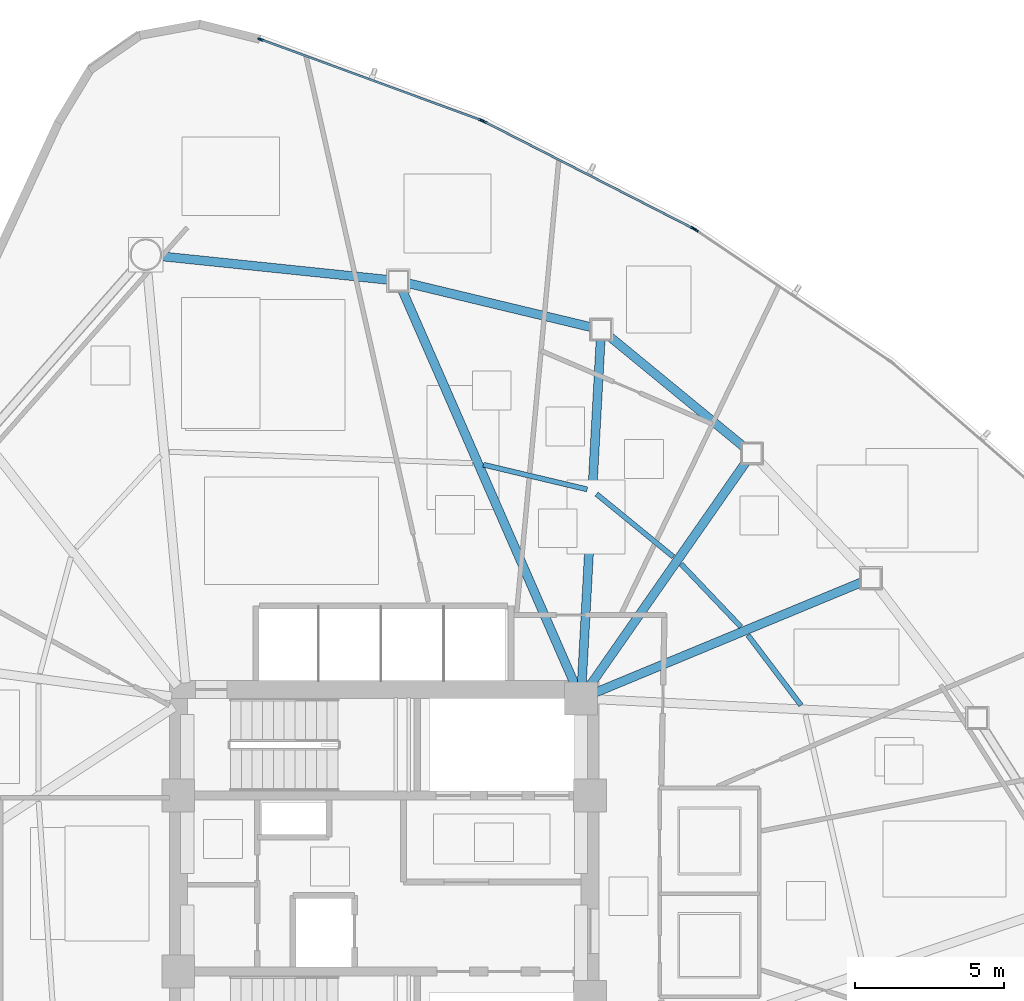
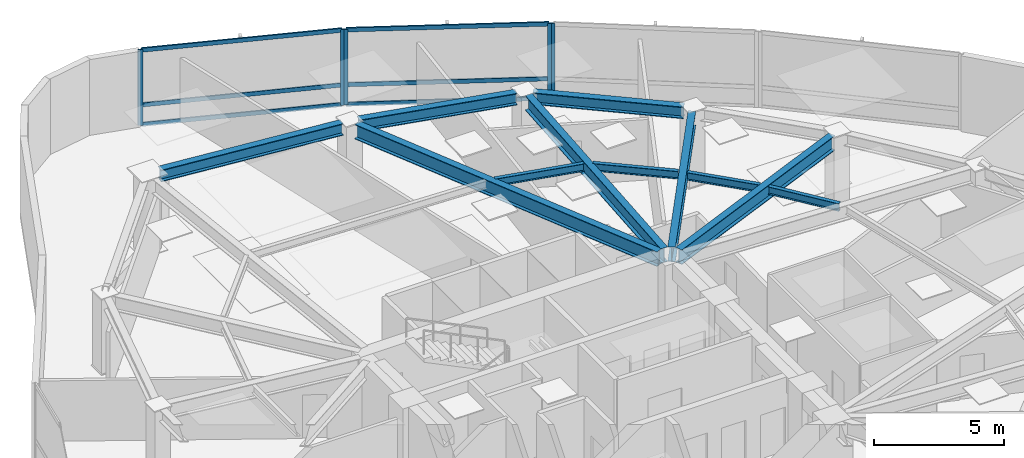
# One storey, part 8 of 17: 11 beams, 11 members, 3 elements without a shape of their own.
"""IFC4 building model written with IfcOpenShell, lengths in metres."""

from ifc_helpers import new_model, si_unit, direction, frame, origin, origin_2d, place, context, subcontext, project, spatial, hollow_rectangle, i_section, extrude, source, transform, mapped, material, layer, layer_set, material_profile, profile_set, type_object, type_shapes, element, aggregate, save


model = new_model("IFC4")

# Units and contexts
model_context = context("Model", 3, precision=1e-05, world=origin(), true_north=direction((0.0, 1.0)))
body_context = subcontext(model_context, "Body", "Model", "MODEL_VIEW")
ifc_project = project(units=[si_unit("LENGTHUNIT", "METRE"), si_unit("AREAUNIT", "SQUARE_METRE"), si_unit("VOLUMEUNIT", "CUBIC_METRE"), si_unit("PLANEANGLEUNIT", "RADIAN"), si_unit("MASSUNIT", "GRAM", prefix="KILO")], contexts=[model_context])

# Site, building, storey
site_placement = place(None, origin())
site = spatial("IfcSite", under=ifc_project, at=site_placement, CompositionType="ELEMENT")
building_placement = place(site_placement, origin())
building = spatial("IfcBuilding", under=site, at=building_placement, Name="Tavelor Broadcast Tower", CompositionType="ELEMENT")
storey_placement = place(building_placement, frame((0.0, 0.0, 127.14990234375)))
storey = spatial("IfcBuildingStorey", under=building, at=storey_placement, Name="L29", CompositionType="ELEMENT", Elevation=127.14990234375)

# Beams
ifc_material_1 = material(Name="Steel S355", Category="steel")
ifc_material_profile_1 = material_profile(ifc_material_1, i_section(OverallWidth=0.169921875, OverallDepth=0.360107421875, WebThickness=0.008056640625, FlangeThickness=0.0126953125, at=origin_2d()), Name="IPE 360")
ifc_profile_set_1 = profile_set([ifc_material_profile_1], Name="Steel S355")
beam_type_1 = type_object("IfcBeamType", Name="Composite Floor Joist T3 IPE 360", PredefinedType="JOIST", material=ifc_profile_set_1)
beam_1_placement = place(storey_placement, frame((63.97509765625, 50.974853515625, 3.3701171875), z_axis=(-0.603343158319, 0.797481682116, 0.0), x_axis=(-0.797481682116, -0.603343158319, 0.0)))
element("IfcBeam", 1, at=beam_1_placement, inside=storey, type_object=beam_type_1, Name="L29 Secondary Composite Floor Joist 14", PredefinedType="JOIST", context=body_context, shape_type="SweptSolid", body=[
    extrude(i_section(OverallWidth=0.169921875, OverallDepth=0.360107421875, WebThickness=0.008056640625, FlangeThickness=0.0126953125, at=origin_2d()), origin(), (0.0, 0.0, 1.0), 2.951416015625),
])
beam_2_placement = place(storey_placement, frame((61.960205078125, 53.60400390625, 3.3701171875), z_axis=(-0.689436692526, 0.724345944283, 0.0), x_axis=(-0.724345944283, -0.689436692526, 0.0)))
element("IfcBeam", 2, at=beam_2_placement, inside=storey, type_object=beam_type_1, Name="L29 Secondary Composite Floor Joist 15", PredefinedType="JOIST", context=body_context, shape_type="SweptSolid", body=[
    extrude(i_section(OverallWidth=0.169921875, OverallDepth=0.360107421875, WebThickness=0.008056640625, FlangeThickness=0.0126953125, at=origin_2d()), origin(), (0.0, 0.0, 1.0), 2.90234375),
])
beam_3_placement = place(storey_placement, frame((59.6943359375, 55.951904296875, 3.3701171875), z_axis=(-0.774130723206, 0.633025768345, 0.0), x_axis=(-0.633025768345, -0.774130723206, 0.0)))
element("IfcBeam", 3, at=beam_3_placement, inside=storey, type_object=beam_type_1, Name="L29 Secondary Composite Floor Joist 16", PredefinedType="JOIST", context=body_context, shape_type="SweptSolid", body=[
    extrude(i_section(OverallWidth=0.169921875, OverallDepth=0.360107421875, WebThickness=0.008056640625, FlangeThickness=0.0126953125, at=origin_2d()), origin(), (0.0, 0.0, 1.0), 3.32373046875),
])
beam_4_placement = place(storey_placement, frame((56.80517578125, 58.21240234375, 3.3701171875), z_axis=(-0.972854549724, 0.231417426056, 0.0), x_axis=(-0.231417426056, -0.972854549724, 0.0)))
element("IfcBeam", 4, at=beam_4_placement, inside=storey, type_object=beam_type_1, Name="L29 Secondary Composite Floor Joist 17", PredefinedType="JOIST", context=body_context, shape_type="SweptSolid", body=[
    extrude(i_section(OverallWidth=0.169921875, OverallDepth=0.360107421875, WebThickness=0.008056640625, FlangeThickness=0.0126953125, at=origin_2d()), origin(), (0.0, 0.0, 1.0), 3.575439453125),
])
ifc_material_profile_2 = material_profile(ifc_material_1, i_section(OverallWidth=0.300048828125, OverallDepth=0.550048828125, WebThickness=0.014892578125, FlangeThickness=0.029052734375, at=origin_2d()), Name="HEB 550")
ifc_profile_set_2 = profile_set([ifc_material_profile_2], Name="Steel S355")
beam_type_2 = type_object("IfcBeamType", Name="Perimeter Spandrel Beam T3 HEB 550", PredefinedType="SPANDREL", material=ifc_profile_set_2)
beam_5_placement = place(storey_placement, frame((62.0712890625, 59.62939453125, 3.275146484375), z_axis=(-0.772702936962, 0.634767808896, 0.0), x_axis=(-0.634767808896, -0.772702936962, 0.0)))
element("IfcBeam", 5, at=beam_5_placement, inside=storey, type_object=beam_type_2, Name="L29 Framed-Tube Ring Spandrel 16", PredefinedType="SPANDREL", context=body_context, shape_type="SweptSolid", body=[
    extrude(i_section(OverallWidth=0.300048828125, OverallDepth=0.550048828125, WebThickness=0.014892578125, FlangeThickness=0.029052734375, at=origin_2d()), origin(), (0.0, 0.0, 1.0), 5.869140625),
])
beam_6_placement = place(storey_placement, frame((56.949951171875, 63.64697265625, 3.275146484375), z_axis=(-0.972363823797, 0.233470756565, 0.0), x_axis=(-0.233470756565, -0.972363823797, 0.0)))
element("IfcBeam", 6, at=beam_6_placement, inside=storey, type_object=beam_type_2, Name="L29 Framed-Tube Ring Spandrel 17", PredefinedType="SPANDREL", context=body_context, shape_type="SweptSolid", body=[
    extrude(i_section(OverallWidth=0.300048828125, OverallDepth=0.550048828125, WebThickness=0.014892578125, FlangeThickness=0.029052734375, at=origin_2d()), origin(), (0.0, 0.0, 1.0), 6.325439453125),
])
beam_7_placement = place(storey_placement, frame((50.13818359375, 65.23681640625, 3.275146484375), z_axis=(-0.994661371522, 0.103192809834, 0.0), x_axis=(-0.103192809834, -0.994661371522, 0.0)))
element("IfcBeam", 7, at=beam_7_placement, inside=storey, type_object=beam_type_2, Name="L29 Framed-Tube Ring Spandrel 18", PredefinedType="SPANDREL", context=body_context, shape_type="SweptSolid", body=[
    extrude(i_section(OverallWidth=0.300048828125, OverallDepth=0.550048828125, WebThickness=0.014892578125, FlangeThickness=0.029052734375, at=origin_2d()), origin(), (0.0, 0.0, 1.0), 7.658203125),
])
ifc_material_profile_3 = material_profile(ifc_material_1, i_section(OverallWidth=0.300048828125, OverallDepth=0.68994140625, WebThickness=0.014404296875, FlangeThickness=0.027099609375, at=origin_2d()), Name="HEA 700")
ifc_profile_set_3 = profile_set([ifc_material_profile_3], Name="Steel S355")
beam_type_3 = type_object("IfcBeamType", Name="Radial Floor Girder T3 HEA 700", PredefinedType="BEAM", material=ifc_profile_set_3)
beam_8_placement = place(storey_placement, frame((57.087890625, 51.402099609375, 3.205078125), z_axis=(0.92381625254, 0.382836168018, 0.0), x_axis=(-0.382836168018, 0.92381625254, 0.0)))
element("IfcBeam", 8, at=beam_8_placement, inside=storey, type_object=beam_type_3, Name="L29 Radial Primary Floor Girder 15", PredefinedType="BEAM", context=body_context, shape_type="SweptSolid", body=[
    extrude(i_section(OverallWidth=0.300048828125, OverallDepth=0.68994140625, WebThickness=0.014404296875, FlangeThickness=0.027099609375, at=origin_2d()), origin(), (0.0, 0.0, 1.0), 9.659423828125),
])
beam_9_placement = place(storey_placement, frame((56.902099609375, 51.633056640625, 3.205078125), z_axis=(0.572088555537, 0.820191858423, 0.0), x_axis=(-0.820191858423, 0.572088555537, 0.0)))
element("IfcBeam", 9, at=beam_9_placement, inside=storey, type_object=beam_type_3, Name="L29 Radial Primary Floor Girder 16", PredefinedType="BEAM", context=body_context, shape_type="SweptSolid", body=[
    extrude(i_section(OverallWidth=0.300048828125, OverallDepth=0.68994140625, WebThickness=0.014404296875, FlangeThickness=0.027099609375, at=origin_2d()), origin(), (0.0, 0.0, 1.0), 9.1533203125),
])
beam_10_placement = place(storey_placement, frame((56.62890625, 51.727294921875, 3.205078125), z_axis=(0.054621583664, 0.998507126964, 0.0), x_axis=(-0.998507126964, 0.054621583664, 0.0)))
element("IfcBeam", 10, at=beam_10_placement, inside=storey, type_object=beam_type_3, Name="L29 Radial Primary Floor Girder 17", PredefinedType="BEAM", context=body_context, shape_type="SweptSolid", body=[
    extrude(i_section(OverallWidth=0.300048828125, OverallDepth=0.68994140625, WebThickness=0.014404296875, FlangeThickness=0.027099609375, at=origin_2d()), origin(), (0.0, 0.0, 1.0), 11.522705078125),
])
beam_11_placement = place(storey_placement, frame((56.38818359375, 51.68359375, 3.205078125), z_axis=(-0.400896102053, 0.916123526255, 0.0), x_axis=(-0.916123526255, -0.400896102053, 0.0)))
element("IfcBeam", 11, at=beam_11_placement, inside=storey, type_object=beam_type_3, Name="L29 Radial Primary Floor Girder 18", PredefinedType="BEAM", context=body_context, shape_type="SweptSolid", body=[
    extrude(i_section(OverallWidth=0.300048828125, OverallDepth=0.68994140625, WebThickness=0.014404296875, FlangeThickness=0.027099609375, at=origin_2d()), origin(), (0.0, 0.0, 1.0), 14.420166015625),
])

# Curtain wall, member
ifc_material_2 = material(Name="Architectural Anodized Aluminium", Category="aluminium")
ifc_layer = layer(ifc_material_2, 0.18994140625)
ifc_layer_set = layer_set([ifc_layer], Name="Architectural Anodized Aluminium")
curtain_wall_type = type_object("IfcCurtainWallType", Name="Tower Mid-Zone Acoustic Curtain Wall CW03", PredefinedType="NOTDEFINED", material=ifc_layer_set)
curtain_wall_1_placement = place(storey_placement, origin())
curtain_wall_1 = element("IfcCurtainWall", 12, at=curtain_wall_1_placement, inside=storey, type_object=curtain_wall_type, Name="L29 Curtain Wall CW03 Run 298", PredefinedType="NOTDEFINED")
ifc_material_profile_4 = material_profile(ifc_material_2, hollow_rectangle(XDim=0.068115234375, YDim=0.18994140625, WallThickness=0.02197265625, at=origin_2d()), Name="RHS 68x190x22")
ifc_profile_set_4 = profile_set([ifc_material_profile_4], Name="Architectural Anodized Aluminium")
member_type_1 = type_object("IfcMemberType", Name="CW03 Extruded Aluminium Mullion 68x190", PredefinedType="MULLION", material=ifc_profile_set_4)
shared_shape_1 = source(origin(), body_context, "Body", "SweptSolid", [
    extrude(hollow_rectangle(XDim=0.068115234375, YDim=0.18994140625, WallThickness=0.02197265625, at=origin_2d()), origin(), (0.0, 0.0, 1.0), 3.550048828125),
])
type_shapes(member_type_1, [shared_shape_1])
member_1_placement = place(storey_placement, frame((60.44677734375, 66.910888671875, 0.0), z_axis=(0.0, 0.0, 1.0), x_axis=(-0.559547260663, -0.828798445392, 0.0)))
member_1 = element("IfcMember", 13, at=member_1_placement, type_object=member_type_1, Name="CW03 mullion 2", PredefinedType="MULLION", context=body_context, shape_type="MappedRepresentation", body=[
    mapped(shared_shape_1, transform((0.0, 0.0, 0.0), scale=1.0)),
])
aggregate(curtain_wall_1, [member_1])

# Curtain wall, members
curtain_wall_2_placement = place(storey_placement, origin())
curtain_wall_2 = element("IfcCurtainWall", 14, at=curtain_wall_2_placement, inside=storey, type_object=curtain_wall_type, Name="L29 Curtain Wall CW03 Run 299", PredefinedType="NOTDEFINED")
member_2_placement = place(storey_placement, frame((60.362548828125, 66.960693359375, 0.0), z_axis=(0.0, 0.0, 1.0), x_axis=(-0.455145454611, -0.890417101783, 0.0)))
member_2 = element("IfcMember", 15, at=member_2_placement, type_object=member_type_1, Name="CW03 mullion 1", PredefinedType="MULLION", context=body_context, shape_type="MappedRepresentation", body=[
    mapped(shared_shape_1, transform((0.0, 0.0, 0.0), scale=1.0)),
])
member_3_placement = place(storey_placement, frame((53.353271484375, 70.54345703125, 0.0), z_axis=(0.0, 0.0, 1.0), x_axis=(-0.455145454611, -0.890417101783, 0.0)))
member_3 = element("IfcMember", 16, at=member_3_placement, type_object=member_type_1, Name="CW03 mullion 2", PredefinedType="MULLION", context=body_context, shape_type="MappedRepresentation", body=[
    mapped(shared_shape_1, transform((0.0, 0.0, 0.0), scale=1.0)),
])

curtain_wall_3_placement = place(storey_placement, origin())
curtain_wall_3 = element("IfcCurtainWall", 17, at=curtain_wall_3_placement, inside=storey, type_object=curtain_wall_type, Name="L29 Curtain Wall CW03 Run 300", PredefinedType="NOTDEFINED")
member_4_placement = place(storey_placement, frame((53.263671875, 70.582763671875, 0.0), z_axis=(0.0, 0.0, 1.0), x_axis=(-0.344038960283, -0.938955373704, 0.0)))
member_4 = element("IfcMember", 18, at=member_4_placement, type_object=member_type_1, Name="CW03 mullion 1", PredefinedType="MULLION", context=body_context, shape_type="MappedRepresentation", body=[
    mapped(shared_shape_1, transform((0.0, 0.0, 0.0), scale=1.0)),
])
member_5_placement = place(storey_placement, frame((45.85693359375, 73.29638671875, 0.0), z_axis=(0.0, 0.0, 1.0), x_axis=(-0.344038960283, -0.938955373704, 0.0)))
member_5 = element("IfcMember", 19, at=member_5_placement, type_object=member_type_1, Name="CW03 mullion 2", PredefinedType="MULLION", context=body_context, shape_type="MappedRepresentation", body=[
    mapped(shared_shape_1, transform((0.0, 0.0, 0.0), scale=1.0)),
])

# Member
ifc_material_profile_5 = material_profile(ifc_material_2, hollow_rectangle(XDim=0.068115234375, YDim=0.18994140625, WallThickness=0.02197265625, at=origin_2d()), Name="RHS 68x190x22")
ifc_profile_set_5 = profile_set([ifc_material_profile_5], Name="Architectural Anodized Aluminium")
member_type_2 = type_object("IfcMemberType", Name="CW03 Extruded Aluminium Transom 68x190", PredefinedType="USERDEFINED", material=ifc_profile_set_5)
shared_shape_2 = source(origin(), body_context, "Body", "SweptSolid", [
    extrude(hollow_rectangle(XDim=0.068115234375, YDim=0.18994140625, WallThickness=0.02197265625, at=origin_2d()), origin(), (0.0, 0.0, 1.0), 7.803955078125),
])
member_6_placement = place(storey_placement, frame((60.332275390625, 66.97607421875, 0.0341796875), z_axis=(-0.89041242448, 0.455154604868, 0.0), x_axis=(-0.455154604868, -0.89041242448, 0.0)))
member_6 = element("IfcMember", 20, at=member_6_placement, type_object=member_type_2, Name="CW03 transom 1.1", ObjectType="TRANSOM", PredefinedType="USERDEFINED", context=body_context, shape_type="MappedRepresentation", body=[
    mapped(shared_shape_2, transform((0.0, 0.0, 0.0), scale=1.0)),
])

member_7_placement = place(storey_placement, frame((60.332275390625, 66.97607421875, 0.9501953125), z_axis=(-0.89041242448, 0.455154604868, 0.0), x_axis=(-0.455154604868, -0.89041242448, 0.0)))
member_7 = element("IfcMember", 21, at=member_7_placement, type_object=member_type_2, Name="CW03 transom 1.2", ObjectType="TRANSOM", PredefinedType="USERDEFINED", context=body_context, shape_type="MappedRepresentation", body=[
    mapped(shared_shape_2, transform((0.0, 0.0, 0.0), scale=1.0)),
])

member_8_placement = place(storey_placement, frame((60.332275390625, 66.97607421875, 3.51611328125), z_axis=(-0.89041242448, 0.455154604868, 0.0), x_axis=(-0.455154604868, -0.89041242448, 0.0)))
member_8 = element("IfcMember", 22, at=member_8_placement, type_object=member_type_2, Name="CW03 transom 1.3", ObjectType="TRANSOM", PredefinedType="USERDEFINED", context=body_context, shape_type="MappedRepresentation", body=[
    mapped(shared_shape_2, transform((0.0, 0.0, 0.0), scale=1.0)),
])

aggregate(curtain_wall_2, [member_2, member_3, member_6, member_7, member_8])

shared_shape_3 = source(origin(), body_context, "Body", "SweptSolid", [
    extrude(hollow_rectangle(XDim=0.068115234375, YDim=0.18994140625, WallThickness=0.02197265625, at=origin_2d()), origin(), (0.0, 0.0, 1.0), 7.820068359375),
])
type_shapes(member_type_2, [shared_shape_2, shared_shape_3])
member_9_placement = place(storey_placement, frame((53.231689453125, 70.594482421875, 0.0341796875), z_axis=(-0.938955669623, 0.344038152655, 0.0), x_axis=(-0.344038152655, -0.938955669623, 0.0)))
member_9 = element("IfcMember", 23, at=member_9_placement, type_object=member_type_2, Name="CW03 transom 1.1", ObjectType="TRANSOM", PredefinedType="USERDEFINED", context=body_context, shape_type="MappedRepresentation", body=[
    mapped(shared_shape_3, transform((0.0, 0.0, 0.0), scale=1.0)),
])

member_10_placement = place(storey_placement, frame((53.231689453125, 70.594482421875, 0.9501953125), z_axis=(-0.938955669623, 0.344038152655, 0.0), x_axis=(-0.344038152655, -0.938955669623, 0.0)))
member_10 = element("IfcMember", 24, at=member_10_placement, type_object=member_type_2, Name="CW03 transom 1.2", ObjectType="TRANSOM", PredefinedType="USERDEFINED", context=body_context, shape_type="MappedRepresentation", body=[
    mapped(shared_shape_3, transform((0.0, 0.0, 0.0), scale=1.0)),
])

member_11_placement = place(storey_placement, frame((53.231689453125, 70.594482421875, 3.51611328125), z_axis=(-0.938955669623, 0.344038152655, 0.0), x_axis=(-0.344038152655, -0.938955669623, 0.0)))
member_11 = element("IfcMember", 25, at=member_11_placement, type_object=member_type_2, Name="CW03 transom 1.3", ObjectType="TRANSOM", PredefinedType="USERDEFINED", context=body_context, shape_type="MappedRepresentation", body=[
    mapped(shared_shape_3, transform((0.0, 0.0, 0.0), scale=1.0)),
])

aggregate(curtain_wall_3, [member_4, member_5, member_9, member_10, member_11])

save(model, "model.ifc")
